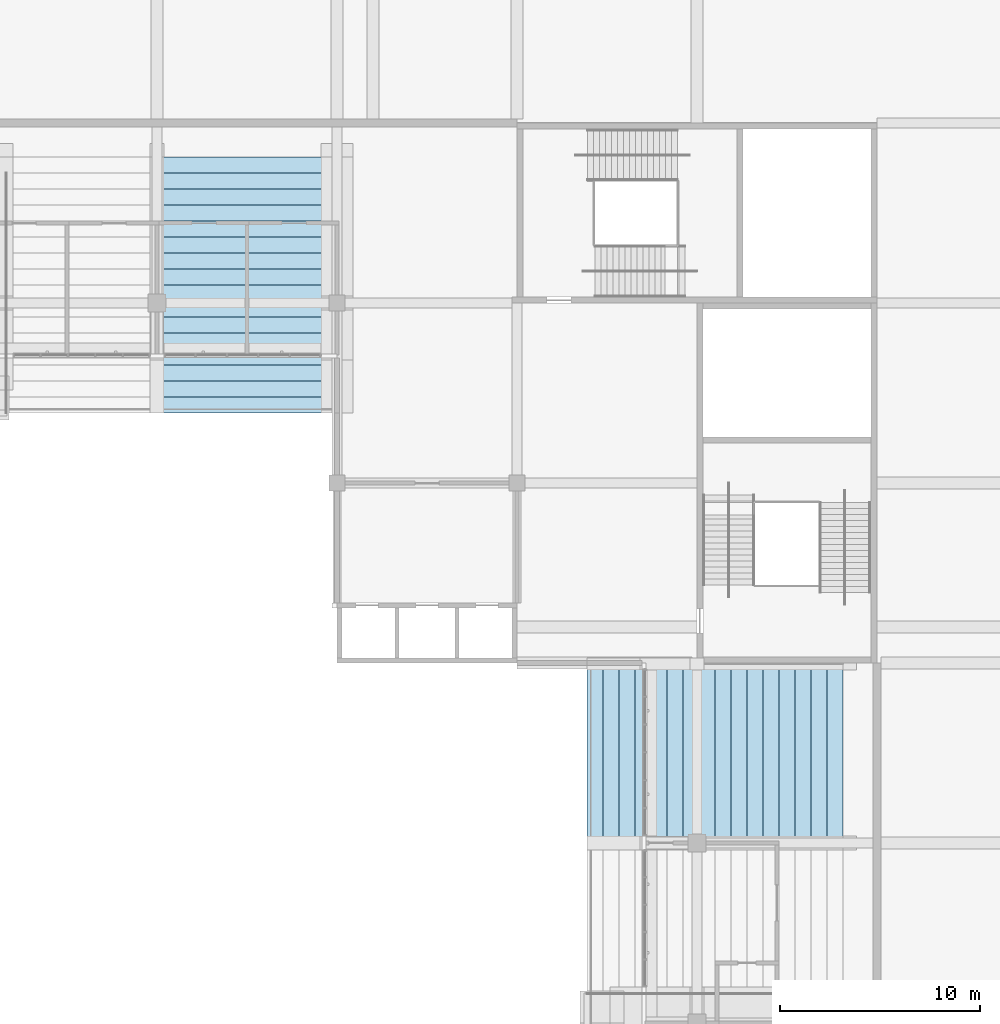
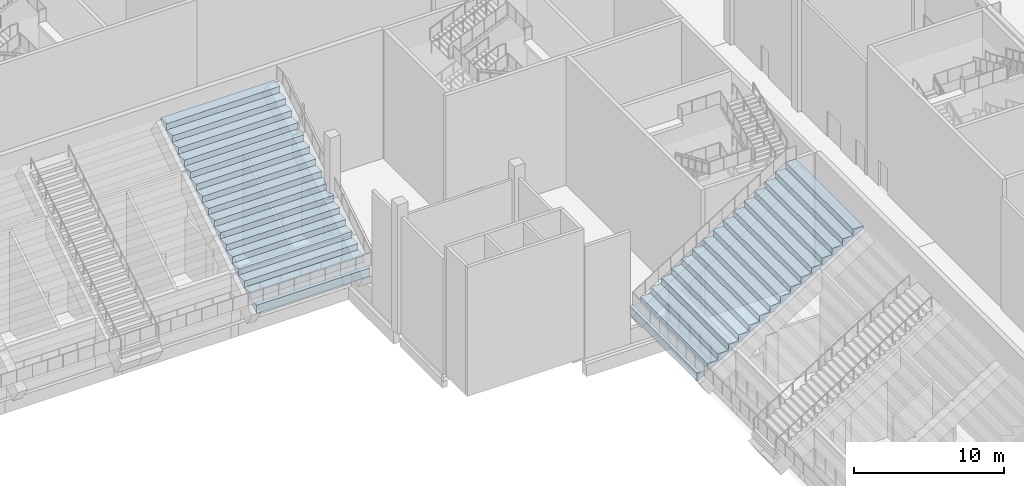
# One storey, part 135 of 182: 2 slabs.
"""IFC4 building model written with IfcOpenShell, lengths in metres."""

from ifc_helpers import new_model, si_unit, direction, frame, origin, place, context, subcontext, project, spatial, faceted_brep, material, layer, layer_set, type_object, element, save


model = new_model("IFC4")

# Units and contexts
model_context = context("Model", 3, precision=1e-05, world=origin(), true_north=direction((0.0, 1.0)))
body_context = subcontext(model_context, "Body", "Model", "MODEL_VIEW")
ifc_project = project(units=[si_unit("LENGTHUNIT", "METRE"), si_unit("AREAUNIT", "SQUARE_METRE"), si_unit("VOLUMEUNIT", "CUBIC_METRE"), si_unit("PLANEANGLEUNIT", "RADIAN"), si_unit("MASSUNIT", "GRAM", prefix="KILO")], contexts=[model_context])

# Site, building, storey
site_placement = place(None, origin())
site = spatial("IfcSite", under=ifc_project, at=site_placement, CompositionType="ELEMENT")
building_placement = place(site_placement, origin())
building = spatial("IfcBuilding", under=site, at=building_placement, Name="Silverbay Arena", CompositionType="ELEMENT")
storey_placement = place(building_placement, frame((0.0, 0.0, 11.5)))
storey = spatial("IfcBuildingStorey", under=building, at=storey_placement, Name="L02", CompositionType="ELEMENT", Elevation=11.5)

# Slabs
ifc_material = material(Name="Concrete Grade C45 precast", Category="concrete")
ifc_layer = layer(ifc_material, 0.679931640625)
ifc_layer_set = layer_set([ifc_layer], Name="Concrete Grade C45 precast")
slab_type = type_object("IfcSlabType", Name="Precast seating tier upper", PredefinedType="USERDEFINED", material=ifc_layer_set)
slab_1_placement = place(storey_placement, origin())
element("IfcSlab", 1, at=slab_1_placement, inside=storey, type_object=slab_type, Name="Stand North upper bay 7", ObjectType="SEATING TIER", PredefinedType="USERDEFINED", context=body_context, shape_type="Brep", body=[
    faceted_brep([(161.60009765625, 111.5, 3.0), (161.60009765625, 112.300048828125, 3.0), (153.0, 112.300048828125, 3.0), (153.0, 111.5, 3.0), (153.0, 111.5, 2.320068359375), (153.0, 112.300048828125, 2.820068359375), (161.60009765625, 112.300048828125, 2.820068359375), (161.60009765625, 111.5, 2.320068359375), (161.75, 111.5, 3.0), (161.75, 112.300048828125, 3.0), (161.75, 112.300048828125, 2.820068359375), (161.75, 111.5, 2.320068359375), (161.60009765625, 112.300048828125, 3.5), (161.60009765625, 113.10009765625, 3.5), (153.0, 113.10009765625, 3.5), (153.0, 112.300048828125, 3.5), (153.0, 113.10009765625, 3.320068359375), (161.60009765625, 113.10009765625, 3.320068359375), (161.75, 112.300048828125, 3.5), (161.75, 113.10009765625, 3.5), (161.75, 113.10009765625, 3.320068359375), (161.60009765625, 113.10009765625, 4.0), (161.60009765625, 113.89990234375, 4.0), (153.0, 113.89990234375, 4.0), (153.0, 113.10009765625, 4.0), (153.0, 113.89990234375, 3.820068359375), (161.60009765625, 113.89990234375, 3.820068359375), (161.75, 113.10009765625, 4.0), (161.75, 113.89990234375, 4.0), (161.75, 113.89990234375, 3.820068359375), (161.60009765625, 113.89990234375, 4.5), (161.60009765625, 114.699951171875, 4.5), (153.0, 114.699951171875, 4.5), (153.0, 113.89990234375, 4.5), (153.0, 114.699951171875, 4.320068359375), (161.60009765625, 114.699951171875, 4.320068359375), (161.75, 113.89990234375, 4.5), (161.75, 114.699951171875, 4.5), (161.75, 114.699951171875, 4.320068359375), (161.60009765625, 114.699951171875, 5.0), (161.60009765625, 115.5, 5.0), (153.0, 115.5, 5.0), (153.0, 114.699951171875, 5.0), (153.0, 115.5, 4.820068359375), (161.60009765625, 115.5, 4.820068359375), (161.75, 114.699951171875, 5.0), (161.75, 115.5, 5.0), (161.75, 115.5, 4.820068359375), (161.60009765625, 115.5, 5.5), (161.60009765625, 116.300048828125, 5.5), (153.0, 116.300048828125, 5.5), (153.0, 115.5, 5.5), (153.0, 116.300048828125, 5.320068359375), (161.60009765625, 116.300048828125, 5.320068359375), (161.75, 115.5, 5.5), (161.75, 116.300048828125, 5.5), (161.75, 116.300048828125, 5.320068359375), (161.60009765625, 116.300048828125, 6.0), (161.60009765625, 116.60009765625, 6.0), (153.0, 116.60009765625, 6.0), (153.0, 116.300048828125, 6.0), (153.0, 116.60009765625, 5.507568359375), (161.60009765625, 116.60009765625, 5.507568359375), (161.75, 116.300048828125, 6.0), (161.75, 116.60009765625, 6.0), (161.75, 116.60009765625, 5.507568359375), (161.60009765625, 117.10009765625, 6.0), (153.0, 117.10009765625, 6.0), (153.0, 117.10009765625, 5.820068359375), (161.60009765625, 117.10009765625, 5.820068359375), (161.60009765625, 117.10009765625, 6.5), (161.60009765625, 117.39990234375, 6.5), (153.0, 117.39990234375, 6.5), (153.0, 117.10009765625, 6.5), (153.0, 117.39990234375, 6.007568359375), (161.60009765625, 117.39990234375, 6.007568359375), (161.60009765625, 117.89990234375, 6.5), (153.0, 117.89990234375, 6.5), (153.0, 117.89990234375, 6.320068359375), (161.60009765625, 117.89990234375, 6.320068359375), (161.75, 117.39990234375, 6.5), (161.75, 117.89990234375, 6.5), (161.75, 117.89990234375, 6.320068359375), (161.75, 117.39990234375, 6.007568359375), (161.60009765625, 117.89990234375, 7.0), (161.60009765625, 118.699951171875, 7.0), (153.0, 118.699951171875, 7.0), (153.0, 117.89990234375, 7.0), (153.0, 118.699951171875, 6.820068359375), (161.60009765625, 118.699951171875, 6.820068359375), (161.75, 117.89990234375, 7.0), (161.75, 118.699951171875, 7.0), (161.75, 118.699951171875, 6.820068359375), (161.60009765625, 118.699951171875, 7.5), (161.60009765625, 119.5, 7.5), (153.0, 119.5, 7.5), (153.0, 118.699951171875, 7.5), (153.0, 119.5, 7.320068359375), (161.60009765625, 119.5, 7.320068359375), (161.75, 118.699951171875, 7.5), (161.75, 119.5, 7.5), (161.75, 119.5, 7.320068359375), (161.60009765625, 119.5, 8.0), (161.60009765625, 120.300048828125, 8.0), (153.0, 120.300048828125, 8.0), (153.0, 119.5, 8.0), (153.0, 120.300048828125, 7.820068359375), (161.60009765625, 120.300048828125, 7.820068359375), (161.75, 119.5, 8.0), (161.75, 120.300048828125, 8.0), (161.75, 120.300048828125, 7.820068359375), (161.60009765625, 120.300048828125, 8.5), (161.60009765625, 121.10009765625, 8.5), (153.0, 121.10009765625, 8.5), (153.0, 120.300048828125, 8.5), (153.0, 121.10009765625, 8.320068359375), (161.60009765625, 121.10009765625, 8.320068359375), (161.75, 120.300048828125, 8.5), (161.75, 121.10009765625, 8.5), (161.75, 121.10009765625, 8.320068359375), (161.60009765625, 121.10009765625, 9.0), (161.60009765625, 121.89990234375, 9.0), (153.0, 121.89990234375, 9.0), (153.0, 121.10009765625, 9.0), (153.0, 121.89990234375, 8.820068359375), (161.60009765625, 121.89990234375, 8.820068359375), (161.75, 121.10009765625, 9.0), (161.75, 121.89990234375, 9.0), (161.75, 121.89990234375, 8.820068359375), (161.60009765625, 121.89990234375, 9.5), (161.60009765625, 122.699951171875, 9.5), (153.0, 122.699951171875, 9.5), (153.0, 121.89990234375, 9.5), (153.0, 122.699951171875, 9.320068359375), (161.60009765625, 122.699951171875, 9.320068359375), (161.75, 121.89990234375, 9.5), (161.75, 122.699951171875, 9.5), (161.75, 122.699951171875, 9.320068359375), (161.60009765625, 122.699951171875, 10.0), (161.60009765625, 123.5, 10.0), (153.0, 123.5, 10.0), (153.0, 122.699951171875, 10.0), (153.0, 123.5, 9.820068359375), (161.60009765625, 123.5, 9.820068359375), (161.75, 122.699951171875, 10.0), (161.75, 123.5, 10.0), (161.75, 123.5, 9.820068359375), (161.60009765625, 123.5, 10.5), (161.60009765625, 124.300048828125, 10.5), (153.0, 124.300048828125, 10.5), (153.0, 123.5, 10.5), (153.0, 124.300048828125, 10.320068359375), (161.60009765625, 124.300048828125, 10.320068359375), (161.75, 123.5, 10.5), (161.75, 124.300048828125, 10.5), (161.75, 124.300048828125, 10.320068359375)], [[[0, 1, 2, 3]], [[4, 5, 6, 7]], [[3, 2, 5, 4]], [[4, 7, 0, 3]], [[8, 9, 1, 0]], [[7, 6, 10, 11]], [[11, 10, 9, 8]], [[7, 11, 8, 0]], [[12, 13, 14, 15]], [[5, 16, 17, 6]], [[2, 15, 14, 16, 5]], [[2, 1, 12, 15]], [[18, 19, 13, 12]], [[6, 17, 20, 10]], [[9, 10, 20, 19, 18]], [[1, 9, 18, 12]], [[21, 22, 23, 24]], [[16, 25, 26, 17]], [[14, 24, 23, 25, 16]], [[14, 13, 21, 24]], [[27, 28, 22, 21]], [[17, 26, 29, 20]], [[19, 20, 29, 28, 27]], [[13, 19, 27, 21]], [[30, 31, 32, 33]], [[25, 34, 35, 26]], [[23, 33, 32, 34, 25]], [[23, 22, 30, 33]], [[36, 37, 31, 30]], [[26, 35, 38, 29]], [[28, 29, 38, 37, 36]], [[22, 28, 36, 30]], [[39, 40, 41, 42]], [[34, 43, 44, 35]], [[32, 42, 41, 43, 34]], [[32, 31, 39, 42]], [[45, 46, 40, 39]], [[35, 44, 47, 38]], [[37, 38, 47, 46, 45]], [[31, 37, 45, 39]], [[48, 49, 50, 51]], [[43, 52, 53, 44]], [[41, 51, 50, 52, 43]], [[41, 40, 48, 51]], [[54, 55, 49, 48]], [[44, 53, 56, 47]], [[46, 47, 56, 55, 54]], [[40, 46, 54, 48]], [[57, 58, 59, 60]], [[52, 61, 62, 53]], [[50, 60, 59, 61, 52]], [[50, 49, 57, 60]], [[63, 64, 58, 57]], [[53, 62, 65, 56]], [[55, 56, 65, 64, 63]], [[49, 55, 63, 57]], [[58, 64, 65, 62]], [[58, 66, 67, 59]], [[61, 68, 69, 62]], [[59, 67, 68, 61]], [[62, 69, 66, 58]], [[70, 71, 72, 73]], [[68, 74, 75, 69]], [[67, 73, 72, 74, 68]], [[66, 69, 75, 71, 70]], [[67, 66, 70, 73]], [[71, 76, 77, 72]], [[74, 78, 79, 75]], [[72, 77, 78, 74]], [[80, 81, 76, 71]], [[75, 79, 82, 83]], [[83, 82, 81, 80]], [[75, 83, 80, 71]], [[84, 85, 86, 87]], [[78, 88, 89, 79]], [[77, 87, 86, 88, 78]], [[77, 76, 84, 87]], [[90, 91, 85, 84]], [[79, 89, 92, 82]], [[81, 82, 92, 91, 90]], [[76, 81, 90, 84]], [[93, 94, 95, 96]], [[88, 97, 98, 89]], [[86, 96, 95, 97, 88]], [[86, 85, 93, 96]], [[99, 100, 94, 93]], [[89, 98, 101, 92]], [[91, 92, 101, 100, 99]], [[85, 91, 99, 93]], [[102, 103, 104, 105]], [[97, 106, 107, 98]], [[95, 105, 104, 106, 97]], [[95, 94, 102, 105]], [[108, 109, 103, 102]], [[98, 107, 110, 101]], [[100, 101, 110, 109, 108]], [[94, 100, 108, 102]], [[111, 112, 113, 114]], [[106, 115, 116, 107]], [[104, 114, 113, 115, 106]], [[104, 103, 111, 114]], [[117, 118, 112, 111]], [[107, 116, 119, 110]], [[109, 110, 119, 118, 117]], [[103, 109, 117, 111]], [[120, 121, 122, 123]], [[115, 124, 125, 116]], [[113, 123, 122, 124, 115]], [[113, 112, 120, 123]], [[126, 127, 121, 120]], [[116, 125, 128, 119]], [[118, 119, 128, 127, 126]], [[112, 118, 126, 120]], [[129, 130, 131, 132]], [[124, 133, 134, 125]], [[122, 132, 131, 133, 124]], [[122, 121, 129, 132]], [[135, 136, 130, 129]], [[125, 134, 137, 128]], [[127, 128, 137, 136, 135]], [[121, 127, 135, 129]], [[138, 139, 140, 141]], [[133, 142, 143, 134]], [[131, 141, 140, 142, 133]], [[131, 130, 138, 141]], [[144, 145, 139, 138]], [[134, 143, 146, 137]], [[136, 137, 146, 145, 144]], [[130, 136, 144, 138]], [[147, 148, 149, 150]], [[142, 151, 152, 143]], [[140, 150, 149, 151, 142]], [[140, 139, 147, 150]], [[149, 148, 152, 151]], [[153, 154, 148, 147]], [[143, 152, 155, 146]], [[145, 146, 155, 154, 153]], [[139, 145, 153, 147]], [[148, 154, 155, 152]]]),
])
slab_2_placement = place(storey_placement, origin())
element("IfcSlab", 2, at=slab_2_placement, inside=storey, type_object=slab_type, Name="Stand East upper bay 4", ObjectType="SEATING TIER", PredefinedType="USERDEFINED", context=body_context, shape_type="Brep", body=[
    faceted_brep([(174.5, 90.0, 2.320068359375), (187.300048828125, 90.0, 10.320068359375), (187.300048828125, 90.0, 10.5), (186.5, 90.0, 10.5), (186.5, 90.0, 10.0), (185.699951171875, 90.0, 10.0), (185.699951171875, 90.0, 9.5), (184.89990234375, 90.0, 9.5), (184.89990234375, 90.0, 9.0), (184.10009765625, 90.0, 9.0), (184.10009765625, 90.0, 8.5), (183.300048828125, 90.0, 8.5), (183.300048828125, 90.0, 8.0), (182.5, 90.0, 8.0), (182.5, 90.0, 7.5), (181.699951171875, 90.0, 7.5), (181.699951171875, 90.0, 7.0), (180.89990234375, 90.0, 7.0), (180.89990234375, 90.0, 6.5), (180.10009765625, 90.0, 6.5), (180.10009765625, 90.0, 6.0), (179.300048828125, 90.0, 6.0), (179.300048828125, 90.0, 5.5), (178.5, 90.0, 5.5), (178.5, 90.0, 5.0), (177.699951171875, 90.0, 5.0), (177.699951171875, 90.0, 4.5), (176.89990234375, 90.0, 4.5), (176.89990234375, 90.0, 4.0), (176.10009765625, 90.0, 4.0), (176.10009765625, 90.0, 3.5), (175.300048828125, 90.0, 3.5), (175.300048828125, 90.0, 3.0), (174.5, 90.0, 3.0), (174.5, 99.0, 3.0), (175.300048828125, 99.0, 3.0), (175.300048828125, 99.0, 3.5), (176.10009765625, 99.0, 3.5), (176.10009765625, 99.0, 4.0), (176.89990234375, 99.0, 4.0), (176.89990234375, 99.0, 4.5), (177.699951171875, 99.0, 4.5), (177.699951171875, 99.0, 5.0), (178.5, 99.0, 5.0), (178.5, 99.0, 5.5), (179.300048828125, 99.0, 5.5), (179.300048828125, 99.0, 6.0), (180.10009765625, 99.0, 6.0), (180.10009765625, 99.0, 6.5), (180.89990234375, 99.0, 6.5), (180.89990234375, 99.0, 7.0), (181.699951171875, 99.0, 7.0), (181.699951171875, 99.0, 7.5), (182.5, 99.0, 7.5), (182.5, 99.0, 8.0), (183.300048828125, 99.0, 8.0), (183.300048828125, 99.0, 8.5), (184.10009765625, 99.0, 8.5), (184.10009765625, 99.0, 9.0), (184.89990234375, 99.0, 9.0), (184.89990234375, 99.0, 9.5), (185.699951171875, 99.0, 9.5), (185.699951171875, 99.0, 10.0), (186.5, 99.0, 10.0), (186.5, 99.0, 10.5), (187.300048828125, 99.0, 10.5), (187.300048828125, 99.0, 10.320068359375), (174.5, 99.0, 2.320068359375)], [[[0, 1, 2, 3, 4, 5, 6, 7, 8, 9, 10, 11, 12, 13, 14, 15, 16, 17, 18, 19, 20, 21, 22, 23, 24, 25, 26, 27, 28, 29, 30, 31, 32, 33]], [[34, 35, 36, 37, 38, 39, 40, 41, 42, 43, 44, 45, 46, 47, 48, 49, 50, 51, 52, 53, 54, 55, 56, 57, 58, 59, 60, 61, 62, 63, 64, 65, 66, 67]], [[33, 32, 35, 34]], [[32, 31, 36, 35]], [[31, 30, 37, 36]], [[30, 29, 38, 37]], [[29, 28, 39, 38]], [[28, 27, 40, 39]], [[27, 26, 41, 40]], [[26, 25, 42, 41]], [[25, 24, 43, 42]], [[24, 23, 44, 43]], [[23, 22, 45, 44]], [[22, 21, 46, 45]], [[21, 20, 47, 46]], [[20, 19, 48, 47]], [[19, 18, 49, 48]], [[18, 17, 50, 49]], [[17, 16, 51, 50]], [[16, 15, 52, 51]], [[15, 14, 53, 52]], [[14, 13, 54, 53]], [[13, 12, 55, 54]], [[12, 11, 56, 55]], [[11, 10, 57, 56]], [[10, 9, 58, 57]], [[9, 8, 59, 58]], [[8, 7, 60, 59]], [[7, 6, 61, 60]], [[6, 5, 62, 61]], [[5, 4, 63, 62]], [[4, 3, 64, 63]], [[3, 2, 65, 64]], [[2, 1, 66, 65]], [[1, 0, 67, 66]], [[0, 33, 34, 67]]]),
])

save(model, "model.ifc")
